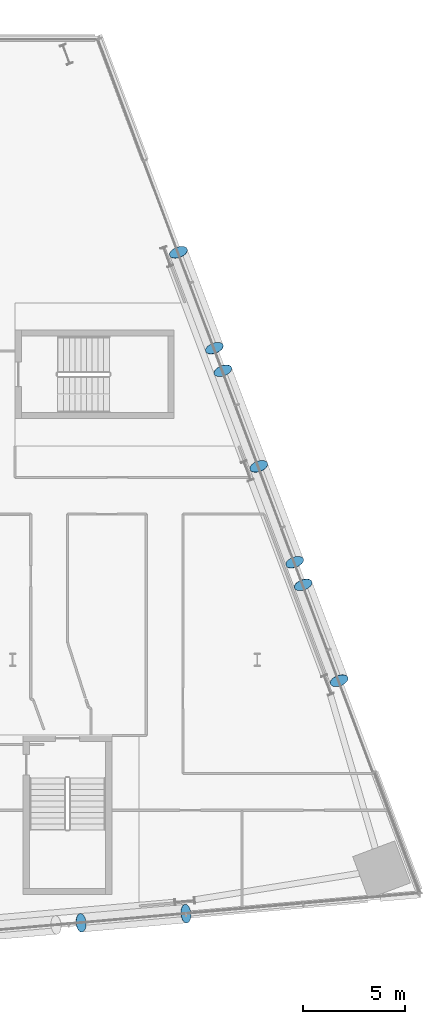
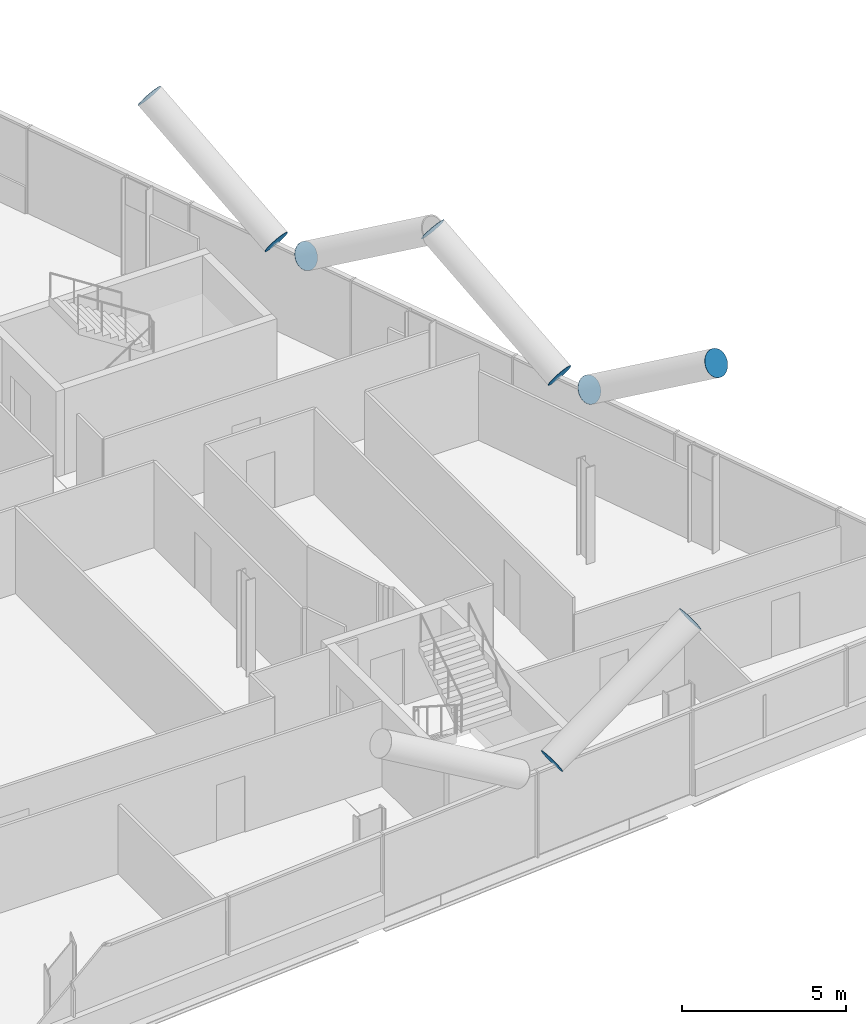
# One storey, part 23 of 27: 9 discrete accessories.
"""IFC4 building model written with IfcOpenShell, lengths in metres."""

from ifc_helpers import new_model, si_unit, direction, frame, origin, origin_2d, place, context, subcontext, project, spatial, circle, extrude, material, material_profile, profile_set, type_object, element, save


model = new_model("IFC4")

# Units and contexts
model_context = context("Model", 3, precision=1e-05, world=origin(), true_north=direction((0.0, 1.0)))
body_context = subcontext(model_context, "Body", "Model", "MODEL_VIEW")
ifc_project = project(units=[si_unit("LENGTHUNIT", "METRE"), si_unit("AREAUNIT", "SQUARE_METRE"), si_unit("VOLUMEUNIT", "CUBIC_METRE"), si_unit("PLANEANGLEUNIT", "RADIAN"), si_unit("MASSUNIT", "GRAM", prefix="KILO")], contexts=[model_context])

# Site, building, storey
site_placement = place(None, origin())
site = spatial("IfcSite", under=ifc_project, at=site_placement, CompositionType="ELEMENT")
building_placement = place(site_placement, origin())
building = spatial("IfcBuilding", under=site, at=building_placement, Name="Wharfspan Tower", CompositionType="ELEMENT")
storey_placement = place(building_placement, frame((0.0, 0.0, 55.899902)))
storey = spatial("IfcBuildingStorey", under=building, at=storey_placement, Name="L10", CompositionType="ELEMENT", Elevation=55.899902)

# Discrete accessories
ifc_material = material(Name="Steel S460NH", Category="steel")
ifc_material_profile = material_profile(ifc_material, circle(Radius=0.457031, at=origin_2d()))
ifc_profile_set = profile_set([ifc_material_profile], Name="Steel S460NH")
discrete_accessory_type = type_object("IfcDiscreteAccessoryType", Name="End plate CHS 914x40", PredefinedType="BRACKET", material=ifc_profile_set)
for number, where, z_axis, x_axis, name in (
    (1, (75.352783, -1.401123, 3.280518), (0.844416, 0.072379, 0.530776), (-0.085402, 0.99635, 0.0), "End plate CHS 914x40"),
    (2, (80.495117, -0.951416, 6.5), (0.844416, 0.072379, 0.530776), (-0.085402, 0.99635, 0.0), "End plate CHS 914x40"),
    (3, (85.835938, 16.280762, 3.277344), (-0.295241, 0.787309, 0.541275), (-0.936333, -0.351125, 0.0), "End plate CHS 914x40"),
    (4, (84.073486, 20.980713, 6.5), (-0.2913, 0.7768, 0.558325), (-0.936328, -0.351123, 0.0), "End plate CHS 914x40"),
    (5, (86.248535, 15.180664, 3.277344), (0.295241, -0.787309, 0.541275), (0.936333, 0.351125, 0.0), "End plate CHS 914x40"),
    (6, (88.010986, 10.480713, 6.5), (0.2913, -0.7768, 0.558325), (0.936328, 0.351123, 0.0), "End plate CHS 914x40"),
    (7, (81.898438, 26.780762, 3.277344), (-0.295241, 0.787309, 0.541275), (-0.936333, -0.351125, 0.0), "End plate CHS 914x40"),
    (8, (80.135986, 31.480713, 6.5), (-0.2913, 0.7768, 0.558325), (-0.936328, -0.351123, 0.0), "End plate CHS 914x40"),
    (9, (82.311035, 25.680664, 3.277344), (0.295241, -0.787309, 0.541275), (0.936333, 0.351125, 0.0), "End plate CHS 914x40"),
):
    element("IfcDiscreteAccessory", number, at=place(storey_placement, frame(where, z_axis=z_axis, x_axis=x_axis)), inside=storey, type_object=discrete_accessory_type, Name=name, PredefinedType="BRACKET", context=body_context, shape_type="SweptSolid", body=[
        extrude(circle(Radius=0.457031, at=origin_2d()), origin(), (0.0, 0.0, 1.0), 0.01001),
    ])

save(model, "model.ifc")
